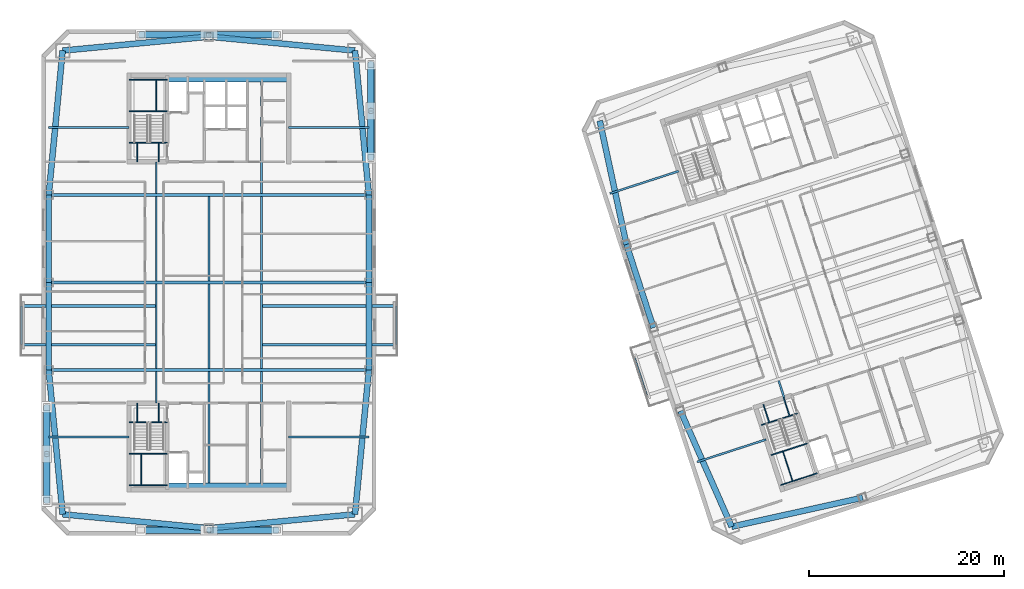
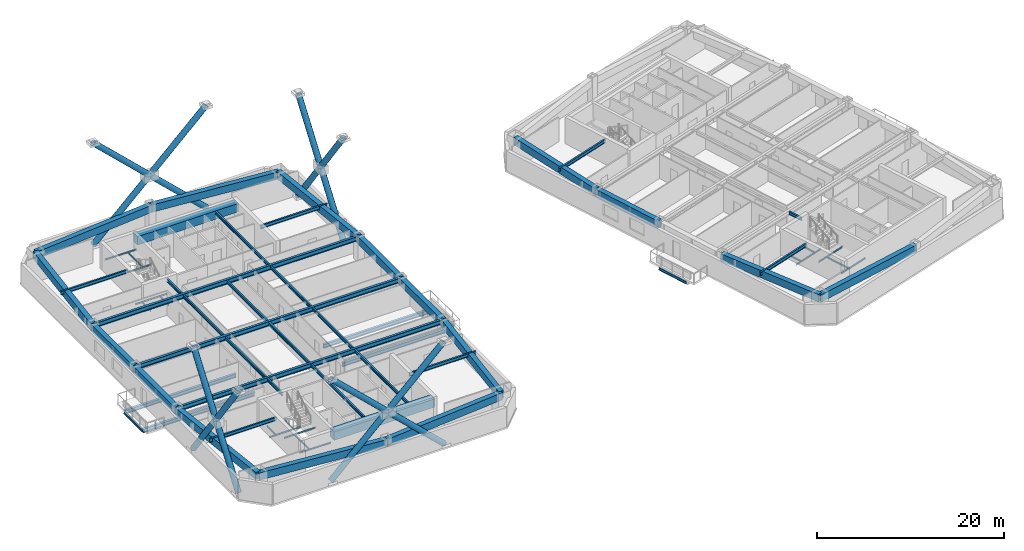
# One storey, part 3 of 16: 64 beams, 16 members.
"""IFC4 building model written with IfcOpenShell, lengths in metres."""

from ifc_helpers import new_model, si_unit, direction, frame, origin, origin_2d, place, context, subcontext, project, spatial, rectangle, hollow_circle, i_section, extrude, material, material_profile, profile_set, type_object, element, save


model = new_model("IFC4")

# Units and contexts
model_context = context("Model", 3, precision=1e-05, world=origin(), true_north=direction((0.0, 1.0)))
body_context = subcontext(model_context, "Body", "Model", "MODEL_VIEW")
ifc_project = project(units=[si_unit("LENGTHUNIT", "METRE"), si_unit("AREAUNIT", "SQUARE_METRE"), si_unit("VOLUMEUNIT", "CUBIC_METRE"), si_unit("PLANEANGLEUNIT", "RADIAN"), si_unit("MASSUNIT", "GRAM", prefix="KILO")], contexts=[model_context])

# Site, building, storey
site_placement = place(None, origin())
site = spatial("IfcSite", under=ifc_project, at=site_placement, CompositionType="ELEMENT")
building_placement = place(site_placement, origin())
building = spatial("IfcBuilding", under=site, at=building_placement, Name="Qiaolan Cultural Towers", CompositionType="ELEMENT")
storey_placement = place(building_placement, frame((0.0, 0.0, 188.60009765625)))
storey = spatial("IfcBuildingStorey", under=building, at=storey_placement, Name="L50", CompositionType="ELEMENT", Elevation=188.60009765625)

# Beams
ifc_material_1 = material(Name="Steel Q355B", Category="steel")
ifc_material_profile_1 = material_profile(ifc_material_1, i_section(OverallWidth=0.300048828125, OverallDepth=0.488037109375, WebThickness=0.010986328125, FlangeThickness=0.01806640625, at=origin_2d()), Name="HM488x300x11x18")
ifc_profile_set_1 = profile_set([ifc_material_profile_1], Name="Steel Q355B")
beam_type_1 = type_object("IfcBeamType", Name="BM-HM488x300x11x18", PredefinedType="BEAM", material=ifc_profile_set_1)
for number, where, z_axis, x_axis, name in (
    (1, (24.60009765625, 27.60009765625, -0.524169921875), (-1.0, 0.0, 0.0), (0.0, -1.0, 0.0), "L50 T1 Tree Balcony Back-Spanned Bracket Beam"),
    (2, (24.60009765625, 31.60009765625, -0.524169921875), (-1.0, 0.0, 0.0), (0.0, -1.0, 0.0), "L50 T1 Tree Balcony Back-Spanned Bracket Beam"),
    (3, (35.39990234375, 27.60009765625, -0.524169921875), (1.0, 0.0, 0.0), (0.0, 1.0, 0.0), "L50 T1 Tree Balcony Back-Spanned Bracket Beam"),
    (4, (35.39990234375, 31.60009765625, -0.524169921875), (1.0, 0.0, 0.0), (0.0, 1.0, 0.0), "L50 T1 Tree Balcony Back-Spanned Bracket Beam"),
):
    element("IfcBeam", number, at=place(storey_placement, frame(where, z_axis=z_axis, x_axis=x_axis)), inside=storey, type_object=beam_type_1, Name=name, PredefinedType="BEAM", context=body_context, shape_type="SweptSolid", body=[
        extrude(i_section(OverallWidth=0.300048828125, OverallDepth=0.488037109375, WebThickness=0.010986328125, FlangeThickness=0.01806640625, at=origin_2d()), origin(), (0.0, 0.0, 1.0), 13.85009765625),
    ])
ifc_material_2 = material(Name="Steel Q355B", Category="steel")
ifc_material_profile_2 = material_profile(ifc_material_2, i_section(OverallWidth=0.300048828125, OverallDepth=0.587890625, WebThickness=0.011962890625, FlangeThickness=0.02001953125, at=origin_2d()), Name="HM588x300x12x20")
ifc_profile_set_2 = profile_set([ifc_material_profile_2], Name="Steel Q355B")
beam_type_2 = type_object("IfcBeamType", Name="BM-HM588x300x12x20", PredefinedType="BEAM", material=ifc_profile_set_2)
for number, where, z_axis, x_axis, name in (
    (5, (13.550048828125, 25.0, 2.89599609375), (1.0, 0.0, 0.0), (0.0, 1.0, 0.0), "L50 T1 Primary Transverse Girder V1"),
    (6, (13.550048828125, 34.0, 2.89599609375), (1.0, 0.0, 0.0), (0.0, 1.0, 0.0), "L50 T1 Primary Transverse Girder V2"),
    (7, (13.550048828125, 43.0, 2.89599609375), (1.0, 0.0, 0.0), (0.0, 1.0, 0.0), "L50 T1 Primary Transverse Girder V3"),
):
    element("IfcBeam", number, at=place(storey_placement, frame(where, z_axis=z_axis, x_axis=x_axis)), inside=storey, type_object=beam_type_2, Name=name, PredefinedType="BEAM", context=body_context, shape_type="SweptSolid", body=[
        extrude(i_section(OverallWidth=0.300048828125, OverallDepth=0.587890625, WebThickness=0.011962890625, FlangeThickness=0.02001953125, at=origin_2d()), origin(), (0.0, 0.0, 1.0), 32.89990234375),
    ])
ifc_material_3 = material(Name="Steel Q355B", Category="steel")
ifc_material_profile_3 = material_profile(ifc_material_3, i_section(OverallWidth=0.175048828125, OverallDepth=0.35009765625, WebThickness=0.007080078125, FlangeThickness=0.010986328125, at=origin_2d()), Name="HN350x175x7x11")
ifc_profile_set_3 = profile_set([ifc_material_profile_3], Name="Steel Q355B")
beam_type_3 = type_object("IfcBeamType", Name="BM-JST-HN350x175x7x11", PredefinedType="JOIST", material=ifc_profile_set_3)
for number, where, z_axis, x_axis, name in (
    (8, (10.75, 27.60009765625, -0.524169921875), (0.0, 1.0, 0.0), (-1.0, 0.0, 0.0), "L50 T1 Tree Balcony Outer Edge Beam"),
    (9, (49.25, 27.60009765625, -0.524169921875), (0.0, 1.0, 0.0), (-1.0, 0.0, 0.0), "L50 T1 Tree Balcony Outer Edge Beam"),
    (10, (75.00146484375, 22.397216796875, -0.524169921875), (-0.309022586479, 0.951054699292, 0.0), (-0.951054699292, -0.309022586479, 0.0), "L50 T2 Tree Balcony Outer Edge Beam"),
):
    element("IfcBeam", number, at=place(storey_placement, frame(where, z_axis=z_axis, x_axis=x_axis)), inside=storey, type_object=beam_type_3, Name=name, PredefinedType="JOIST", context=body_context, shape_type="SweptSolid", body=[
        extrude(i_section(OverallWidth=0.175048828125, OverallDepth=0.35009765625, WebThickness=0.007080078125, FlangeThickness=0.010986328125, at=origin_2d()), origin(), (0.0, 0.0, 1.0), 4.0),
    ])
ifc_material_4 = material(Name="Steel Q355B", Category="steel")
ifc_material_profile_4 = material_profile(ifc_material_4, i_section(OverallWidth=0.199951171875, OverallDepth=0.39990234375, WebThickness=0.008056640625, FlangeThickness=0.012939453125, at=origin_2d()), Name="HN400x200x8x13")
ifc_profile_set_4 = profile_set([ifc_material_profile_4], Name="Steel Q355B")
beam_type_4 = type_object("IfcBeamType", Name="BM-JST-HN400x200x8x13", PredefinedType="JOIST", material=ifc_profile_set_4)
beam_1_placement = place(storey_placement, frame((24.60009765625, 21.60009765625, 2.989990234375), z_axis=(0.0, 1.0, 0.0), x_axis=(-1.0, 0.0, 0.0)))
element("IfcBeam", 11, at=beam_1_placement, inside=storey, type_object=beam_type_4, Name="L50 T1 Secondary Floor Joist U1-1", PredefinedType="JOIST", context=body_context, shape_type="SweptSolid", body=[
    extrude(i_section(OverallWidth=0.199951171875, OverallDepth=0.39990234375, WebThickness=0.008056640625, FlangeThickness=0.012939453125, at=origin_2d()), origin(), (0.0, 0.0, 1.0), 3.25),
])
for number, where, z_axis, x_axis, name in (
    (12, (24.60009765625, 25.14990234375, 2.989990234375), (0.0, 1.0, 0.0), (-1.0, 0.0, 0.0), "L50 T1 Secondary Floor Joist U1-2"),
    (13, (24.60009765625, 34.14990234375, 2.989990234375), (0.0, 1.0, 0.0), (-1.0, 0.0, 0.0), "L50 T1 Secondary Floor Joist U1-3"),
):
    element("IfcBeam", number, at=place(storey_placement, frame(where, z_axis=z_axis, x_axis=x_axis)), inside=storey, type_object=beam_type_4, Name=name, PredefinedType="JOIST", context=body_context, shape_type="SweptSolid", body=[
        extrude(i_section(OverallWidth=0.199951171875, OverallDepth=0.39990234375, WebThickness=0.008056640625, FlangeThickness=0.012939453125, at=origin_2d()), origin(), (0.0, 0.0, 1.0), 8.7001953125),
    ])
beam_2_placement = place(storey_placement, frame((24.60009765625, 43.14990234375, 2.989990234375), z_axis=(0.0, 1.0, 0.0), x_axis=(-1.0, 0.0, 0.0)))
element("IfcBeam", 14, at=beam_2_placement, inside=storey, type_object=beam_type_4, Name="L50 T1 Secondary Floor Joist U1-4", PredefinedType="JOIST", context=body_context, shape_type="SweptSolid", body=[
    extrude(i_section(OverallWidth=0.199951171875, OverallDepth=0.39990234375, WebThickness=0.008056640625, FlangeThickness=0.012939453125, at=origin_2d()), origin(), (0.0, 0.0, 1.0), 3.25),
])
beam_3_placement = place(storey_placement, frame((30.0, 13.39990234375, 2.989990234375), z_axis=(0.0, 1.0, 0.0), x_axis=(-1.0, 0.0, 0.0)))
element("IfcBeam", 15, at=beam_3_placement, inside=storey, type_object=beam_type_4, Name="L50 T1 Secondary Floor Joist U2-1", PredefinedType="JOIST", context=body_context, shape_type="SweptSolid", body=[
    extrude(i_section(OverallWidth=0.199951171875, OverallDepth=0.39990234375, WebThickness=0.008056640625, FlangeThickness=0.012939453125, at=origin_2d()), origin(), (0.0, 0.0, 1.0), 11.4501953125),
])
for number, where, z_axis, x_axis, name in (
    (16, (30.0, 25.14990234375, 2.989990234375), (0.0, 1.0, 0.0), (-1.0, 0.0, 0.0), "L50 T1 Secondary Floor Joist U2-2"),
    (17, (30.0, 34.14990234375, 2.989990234375), (0.0, 1.0, 0.0), (-1.0, 0.0, 0.0), "L50 T1 Secondary Floor Joist U2-3"),
):
    element("IfcBeam", number, at=place(storey_placement, frame(where, z_axis=z_axis, x_axis=x_axis)), inside=storey, type_object=beam_type_4, Name=name, PredefinedType="JOIST", context=body_context, shape_type="SweptSolid", body=[
        extrude(i_section(OverallWidth=0.199951171875, OverallDepth=0.39990234375, WebThickness=0.008056640625, FlangeThickness=0.012939453125, at=origin_2d()), origin(), (0.0, 0.0, 1.0), 8.7001953125),
    ])
beam_4_placement = place(storey_placement, frame((35.39990234375, 13.39990234375, 2.989990234375), z_axis=(0.0, 1.0, 0.0), x_axis=(-1.0, 0.0, 0.0)))
element("IfcBeam", 18, at=beam_4_placement, inside=storey, type_object=beam_type_4, Name="L50 T1 Secondary Floor Joist U3-1", PredefinedType="JOIST", context=body_context, shape_type="SweptSolid", body=[
    extrude(i_section(OverallWidth=0.199951171875, OverallDepth=0.39990234375, WebThickness=0.008056640625, FlangeThickness=0.012939453125, at=origin_2d()), origin(), (0.0, 0.0, 1.0), 11.4501953125),
])
for number, where, z_axis, x_axis, name in (
    (19, (35.39990234375, 25.14990234375, 2.989990234375), (0.0, 1.0, 0.0), (-1.0, 0.0, 0.0), "L50 T1 Secondary Floor Joist U3-2"),
    (20, (35.39990234375, 34.14990234375, 2.989990234375), (0.0, 1.0, 0.0), (-1.0, 0.0, 0.0), "L50 T1 Secondary Floor Joist U3-3"),
):
    element("IfcBeam", number, at=place(storey_placement, frame(where, z_axis=z_axis, x_axis=x_axis)), inside=storey, type_object=beam_type_4, Name=name, PredefinedType="JOIST", context=body_context, shape_type="SweptSolid", body=[
        extrude(i_section(OverallWidth=0.199951171875, OverallDepth=0.39990234375, WebThickness=0.008056640625, FlangeThickness=0.012939453125, at=origin_2d()), origin(), (0.0, 0.0, 1.0), 8.7001953125),
    ])
beam_5_placement = place(storey_placement, frame((35.39990234375, 43.14990234375, 2.989990234375), z_axis=(0.0, 1.0, 0.0), x_axis=(-1.0, 0.0, 0.0)))
element("IfcBeam", 21, at=beam_5_placement, inside=storey, type_object=beam_type_4, Name="L50 T1 Secondary Floor Joist U3-4", PredefinedType="JOIST", context=body_context, shape_type="SweptSolid", body=[
    extrude(i_section(OverallWidth=0.199951171875, OverallDepth=0.39990234375, WebThickness=0.008056640625, FlangeThickness=0.012939453125, at=origin_2d()), origin(), (0.0, 0.0, 1.0), 11.4501953125),
])
beam_6_placement = place(storey_placement, frame((89.119384765625, 22.147705078125, 2.989990234375), z_axis=(-0.308933885266, 0.951083516067, 0.0), x_axis=(-0.951083516067, -0.308933885266, 0.0)))
element("IfcBeam", 22, at=beam_6_placement, inside=storey, type_object=beam_type_4, Name="L50 T2 Secondary Floor Joist U1-1", PredefinedType="JOIST", context=body_context, shape_type="SweptSolid", body=[
    extrude(i_section(OverallWidth=0.199951171875, OverallDepth=0.39990234375, WebThickness=0.008056640625, FlangeThickness=0.012939453125, at=origin_2d()), origin(), (0.0, 0.0, 1.0), 1.85009765625),
])
ifc_material_5 = material(Name="Steel Q355B", Category="steel")
ifc_material_profile_5 = material_profile(ifc_material_5, i_section(OverallWidth=0.199951171875, OverallDepth=0.449951171875, WebThickness=0.009033203125, FlangeThickness=0.013916015625, at=origin_2d()), Name="HN450x200x9x14")
ifc_profile_set_5 = profile_set([ifc_material_profile_5], Name="Steel Q355B")
beam_type_5 = type_object("IfcBeamType", Name="BM-LNT-HN450x200x9x14", PredefinedType="LINTEL", material=ifc_profile_set_5)
for number, where, z_axis, x_axis, name in (
    (23, (21.800048828125, 18.10009765625, 2.96484375), (-1.0, 0.0, 0.0), (0.0, -1.0, 0.0), "L50 T1 Core Flank Tie Lintel WS"),
    (24, (21.800048828125, 49.89990234375, 2.96484375), (-1.0, 0.0, 0.0), (0.0, -1.0, 0.0), "L50 T1 Core Flank Tie Lintel WN"),
    (25, (38.199951171875, 18.10009765625, 2.96484375), (1.0, 0.0, 0.0), (0.0, 1.0, 0.0), "L50 T1 Core Flank Tie Lintel ES"),
    (26, (38.199951171875, 49.89990234375, 2.96484375), (1.0, 0.0, 0.0), (0.0, 1.0, 0.0), "L50 T1 Core Flank Tie Lintel EN"),
):
    element("IfcBeam", number, at=place(storey_placement, frame(where, z_axis=z_axis, x_axis=x_axis)), inside=storey, type_object=beam_type_5, Name=name, PredefinedType="LINTEL", context=body_context, shape_type="SweptSolid", body=[
        extrude(i_section(OverallWidth=0.199951171875, OverallDepth=0.449951171875, WebThickness=0.009033203125, FlangeThickness=0.013916015625, at=origin_2d()), origin(), (0.0, 0.0, 1.0), 8.25),
    ])
beam_7_placement = place(storey_placement, frame((87.252685546875, 17.861083984375, 2.96484375), z_axis=(-0.951064407856, -0.308992705592, 0.0), x_axis=(0.308992705592, -0.951064407856, 0.0)))
element("IfcBeam", 27, at=beam_7_placement, inside=storey, type_object=beam_type_5, Name="L50 T2 Core Flank Tie Lintel WS", PredefinedType="LINTEL", context=body_context, shape_type="SweptSolid", body=[
    extrude(i_section(OverallWidth=0.199951171875, OverallDepth=0.449951171875, WebThickness=0.009033203125, FlangeThickness=0.013916015625, at=origin_2d()), origin(), (0.0, 0.0, 1.0), 7.449951171875),
])
beam_8_placement = place(storey_placement, frame((78.291259765625, 45.44189453125, 2.96484375), z_axis=(-0.951054777171, -0.309022346796, 0.0), x_axis=(0.309022346796, -0.951054777171, 0.0)))
element("IfcBeam", 28, at=beam_8_placement, inside=storey, type_object=beam_type_5, Name="L50 T2 Core Flank Tie Lintel WN", PredefinedType="LINTEL", context=body_context, shape_type="SweptSolid", body=[
    extrude(i_section(OverallWidth=0.199951171875, OverallDepth=0.449951171875, WebThickness=0.009033203125, FlangeThickness=0.013916015625, at=origin_2d()), origin(), (0.0, 0.0, 1.0), 7.4501953125),
])
ifc_material_6 = material(Name="Concrete C50", Category="concrete")
ifc_material_profile_6 = material_profile(ifc_material_6, rectangle(XDim=0.89990234375, YDim=1.10009765625, at=origin_2d()), Name="RC900x1100")
ifc_profile_set_6 = profile_set([ifc_material_profile_6], Name="Concrete C50")
beam_type_6 = type_object("IfcBeamType", Name="BM-RC900x1100", PredefinedType="BEAM", material=ifc_profile_set_6)
for number, where, z_axis, x_axis, name in (
    (29, (25.719970703125, 12.949951171875, 2.639892578125), (1.0, 0.0, 0.0), (0.0, 1.0, 0.0), "L50 T1 Core Header Girder S"),
    (30, (25.719970703125, 55.050048828125, 2.639892578125), (1.0, 0.0, 0.0), (0.0, 1.0, 0.0), "L50 T1 Core Header Girder N"),
):
    element("IfcBeam", number, at=place(storey_placement, frame(where, z_axis=z_axis, x_axis=x_axis)), inside=storey, type_object=beam_type_6, Name=name, PredefinedType="BEAM", context=body_context, shape_type="SweptSolid", body=[
        extrude(rectangle(XDim=0.89990234375, YDim=1.10009765625, at=origin_2d()), origin(), (0.0, 0.0, 1.0), 12.47998046875),
    ])
ifc_material_7 = material(Name="Concrete C50", Category="concrete")
ifc_material_profile_7 = material_profile(ifc_material_7, rectangle(XDim=0.60009765625, YDim=0.949951171875, at=origin_2d()), Name="RC600x950")
ifc_profile_set_7 = profile_set([ifc_material_profile_7], Name="Concrete C50")
beam_type_7 = type_object("IfcBeamType", Name="BM-SPD-RC600x950", PredefinedType="SPANDREL", material=ifc_profile_set_7)
for number, where, z_axis, x_axis, name in (
    (31, (14.97998046875, 10.179931640625, 2.71484375), (0.995498889995, -0.094773203061, 0.0), (0.094773203061, 0.995498889995, 0.0), "L50 T1 Perimeter Spandrel Beam 1"),
    (32, (30.0, 8.75, 2.71484375), (0.995498889995, 0.094773203061, 0.0), (-0.094773203061, 0.995498889995, 0.0), "L50 T1 Perimeter Spandrel Beam 2"),
):
    element("IfcBeam", number, at=place(storey_placement, frame(where, z_axis=z_axis, x_axis=x_axis)), inside=storey, type_object=beam_type_7, Name=name, PredefinedType="SPANDREL", context=body_context, shape_type="SweptSolid", body=[
        extrude(rectangle(XDim=0.60009765625, YDim=0.949951171875, at=origin_2d()), origin(), (0.0, 0.0, 1.0), 15.087890625),
    ])
beam_9_placement = place(storey_placement, frame((45.02001953125, 10.179931640625, 2.71484375), z_axis=(0.096040159186, 0.995377459974, 0.0), x_axis=(-0.995377459974, 0.096040159186, 0.0)))
element("IfcBeam", 33, at=beam_9_placement, inside=storey, type_object=beam_type_7, Name="L50 T1 Perimeter Spandrel Beam 3", PredefinedType="SPANDREL", context=body_context, shape_type="SweptSolid", body=[
    extrude(rectangle(XDim=0.60009765625, YDim=0.949951171875, at=origin_2d()), origin(), (0.0, 0.0, 1.0), 14.888916015625),
])
for number, where, z_axis, x_axis, name in (
    (34, (46.449951171875, 25.0, 2.71484375), (0.0, 1.0, 0.0), (-1.0, 0.0, 0.0), "L50 T1 Perimeter Spandrel Beam 4"),
    (35, (46.449951171875, 34.0, 2.71484375), (0.0, 1.0, 0.0), (-1.0, 0.0, 0.0), "L50 T1 Perimeter Spandrel Beam 5"),
):
    element("IfcBeam", number, at=place(storey_placement, frame(where, z_axis=z_axis, x_axis=x_axis)), inside=storey, type_object=beam_type_7, Name=name, PredefinedType="SPANDREL", context=body_context, shape_type="SweptSolid", body=[
        extrude(rectangle(XDim=0.60009765625, YDim=0.949951171875, at=origin_2d()), origin(), (0.0, 0.0, 1.0), 9.0),
    ])
beam_10_placement = place(storey_placement, frame((46.449951171875, 43.0, 2.71484375), z_axis=(-0.096040159186, 0.995377459974, 0.0), x_axis=(-0.995377459974, -0.096040159186, 0.0)))
element("IfcBeam", 36, at=beam_10_placement, inside=storey, type_object=beam_type_7, Name="L50 T1 Perimeter Spandrel Beam 6", PredefinedType="SPANDREL", context=body_context, shape_type="SweptSolid", body=[
    extrude(rectangle(XDim=0.60009765625, YDim=0.949951171875, at=origin_2d()), origin(), (0.0, 0.0, 1.0), 14.888916015625),
])
for number, where, z_axis, x_axis, name in (
    (37, (45.02001953125, 57.820068359375, 2.71484375), (-0.995498889995, 0.094773203061, 0.0), (-0.094773203061, -0.995498889995, 0.0), "L50 T1 Perimeter Spandrel Beam 7"),
    (38, (30.0, 59.25, 2.71484375), (-0.995498889995, -0.094773203061, 0.0), (0.094773203061, -0.995498889995, 0.0), "L50 T1 Perimeter Spandrel Beam 8"),
):
    element("IfcBeam", number, at=place(storey_placement, frame(where, z_axis=z_axis, x_axis=x_axis)), inside=storey, type_object=beam_type_7, Name=name, PredefinedType="SPANDREL", context=body_context, shape_type="SweptSolid", body=[
        extrude(rectangle(XDim=0.60009765625, YDim=0.949951171875, at=origin_2d()), origin(), (0.0, 0.0, 1.0), 15.087890625),
    ])
beam_11_placement = place(storey_placement, frame((14.97998046875, 57.820068359375, 2.71484375), z_axis=(-0.096040159186, -0.995377459974, 0.0), x_axis=(0.995377459974, -0.096040159186, 0.0)))
element("IfcBeam", 39, at=beam_11_placement, inside=storey, type_object=beam_type_7, Name="L50 T1 Perimeter Spandrel Beam 9", PredefinedType="SPANDREL", context=body_context, shape_type="SweptSolid", body=[
    extrude(rectangle(XDim=0.60009765625, YDim=0.949951171875, at=origin_2d()), origin(), (0.0, 0.0, 1.0), 14.888916015625),
])
for number, where, z_axis, x_axis, name in (
    (40, (13.550048828125, 43.0, 2.71484375), (0.0, -1.0, 0.0), (1.0, 0.0, 0.0), "L50 T1 Perimeter Spandrel Beam 10"),
    (41, (13.550048828125, 34.0, 2.71484375), (0.0, -1.0, 0.0), (1.0, 0.0, 0.0), "L50 T1 Perimeter Spandrel Beam 11"),
):
    element("IfcBeam", number, at=place(storey_placement, frame(where, z_axis=z_axis, x_axis=x_axis)), inside=storey, type_object=beam_type_7, Name=name, PredefinedType="SPANDREL", context=body_context, shape_type="SweptSolid", body=[
        extrude(rectangle(XDim=0.60009765625, YDim=0.949951171875, at=origin_2d()), origin(), (0.0, 0.0, 1.0), 9.0),
    ])
beam_12_placement = place(storey_placement, frame((13.550048828125, 25.0, 2.71484375), z_axis=(0.096040159186, -0.995377459974, 0.0), x_axis=(0.995377459974, 0.096040159186, 0.0)))
element("IfcBeam", 42, at=beam_12_placement, inside=storey, type_object=beam_type_7, Name="L50 T1 Perimeter Spandrel Beam 12", PredefinedType="SPANDREL", context=body_context, shape_type="SweptSolid", body=[
    extrude(rectangle(XDim=0.60009765625, YDim=0.949951171875, at=origin_2d()), origin(), (0.0, 0.0, 1.0), 14.888916015625),
])
beam_13_placement = place(storey_placement, frame((83.71875, 8.900634765625, 2.71484375), z_axis=(0.976265293399, 0.216578108094, 0.0), x_axis=(-0.216578108094, 0.976265293399, 0.0)))
element("IfcBeam", 43, at=beam_13_placement, inside=storey, type_object=beam_type_7, Name="L50 T2 Perimeter Spandrel Beam 1", PredefinedType="SPANDREL", context=body_context, shape_type="SweptSolid", body=[
    extrude(rectangle(XDim=0.60009765625, YDim=0.949951171875, at=origin_2d()), origin(), (0.0, 0.0, 1.0), 13.793212890625),
])
beam_14_placement = place(storey_placement, frame((70.165283203125, 50.61376953125, 2.71484375), z_axis=(0.210832241173, -0.977522258612, 0.0), x_axis=(0.977522258612, 0.210832241173, 0.0)))
element("IfcBeam", 44, at=beam_14_placement, inside=storey, type_object=beam_type_7, Name="L50 T2 Perimeter Spandrel Beam 9", PredefinedType="SPANDREL", context=body_context, shape_type="SweptSolid", body=[
    extrude(rectangle(XDim=0.60009765625, YDim=0.949951171875, at=origin_2d()), origin(), (0.0, 0.0, 1.0), 12.997314453125),
])
beam_15_placement = place(storey_placement, frame((72.905517578125, 37.90869140625, 2.71484375), z_axis=(0.309008170129, -0.951059383421, 0.0), x_axis=(0.951059383421, 0.309008170129, 0.0)))
element("IfcBeam", 45, at=beam_15_placement, inside=storey, type_object=beam_type_7, Name="L50 T2 Perimeter Spandrel Beam 10", PredefinedType="SPANDREL", context=body_context, shape_type="SweptSolid", body=[
    extrude(rectangle(XDim=0.60009765625, YDim=0.949951171875, at=origin_2d()), origin(), (0.0, 0.0, 1.0), 8.999755859375),
])
beam_16_placement = place(storey_placement, frame((78.4677734375, 20.789794921875, 2.71484375), z_axis=(0.404011070002, -0.914754095545, 0.0), x_axis=(0.914754095545, 0.404011070002, 0.0)))
element("IfcBeam", 46, at=beam_16_placement, inside=storey, type_object=beam_type_7, Name="L50 T2 Perimeter Spandrel Beam 12", PredefinedType="SPANDREL", context=body_context, shape_type="SweptSolid", body=[
    extrude(rectangle(XDim=0.60009765625, YDim=0.949951171875, at=origin_2d()), origin(), (0.0, 0.0, 1.0), 12.9970703125),
])
ifc_material_8 = material(Name="Steel Q355B", Category="steel")
ifc_material_profile_8 = material_profile(ifc_material_8, i_section(OverallWidth=0.10009765625, OverallDepth=0.199951171875, WebThickness=0.005615234375, FlangeThickness=0.008056640625, at=origin_2d()), Name="HN200x100x5.5x8")
ifc_profile_set_8 = profile_set([ifc_material_profile_8], Name="Steel Q355B")
beam_type_8 = type_object("IfcBeamType", Name="BM-STTRIM-200", PredefinedType="BEAM", material=ifc_profile_set_8)
beam_17_placement = place(storey_placement, frame((21.800048828125, 19.659912109375, -0.460205078125), z_axis=(1.0, 0.0, 0.0), x_axis=(0.0, 1.0, 0.0)))
element("IfcBeam", 47, at=beam_17_placement, inside=storey, type_object=beam_type_8, Name="L50 ST-W1 Floor Landing Header Beam", PredefinedType="BEAM", context=body_context, shape_type="SweptSolid", body=[
    extrude(i_section(OverallWidth=0.10009765625, OverallDepth=0.199951171875, WebThickness=0.005615234375, FlangeThickness=0.008056640625, at=origin_2d()), origin(), (0.0, 0.0, 1.0), 3.919921875),
])
for number, where, z_axis, x_axis, name in (
    (48, (22.64990234375, 21.60009765625, -0.460205078125), (0.0, -1.0, 0.0), (1.0, 0.0, 0.0), "L50 ST-W1 Floor Landing Stringer 1"),
    (49, (24.85009765625, 21.60009765625, -0.460205078125), (0.0, -1.0, 0.0), (1.0, 0.0, 0.0), "L50 ST-W1 Floor Landing Stringer 2"),
):
    element("IfcBeam", number, at=place(storey_placement, frame(where, z_axis=z_axis, x_axis=x_axis)), inside=storey, type_object=beam_type_8, Name=name, PredefinedType="BEAM", context=body_context, shape_type="SweptSolid", body=[
        extrude(i_section(OverallWidth=0.10009765625, OverallDepth=0.199951171875, WebThickness=0.005615234375, FlangeThickness=0.008056640625, at=origin_2d()), origin(), (0.0, 0.0, 1.0), 1.940185546875),
    ])
for number, where, z_axis, x_axis, name in (
    (50, (21.800048828125, 16.411376953125, 1.4248046875), (1.0, 0.0, 0.0), (0.0, 1.0, 0.0), "L50 ST-W1 Stair Landing Support Beam 1-1"),
    (51, (21.800048828125, 13.179931640625, 1.4248046875), (1.0, 0.0, 0.0), (0.0, 1.0, 0.0), "L50 ST-W1 Stair Landing Support Beam 1-2"),
):
    element("IfcBeam", number, at=place(storey_placement, frame(where, z_axis=z_axis, x_axis=x_axis)), inside=storey, type_object=beam_type_8, Name=name, PredefinedType="BEAM", context=body_context, shape_type="SweptSolid", body=[
        extrude(i_section(OverallWidth=0.10009765625, OverallDepth=0.199951171875, WebThickness=0.005615234375, FlangeThickness=0.008056640625, at=origin_2d()), origin(), (0.0, 0.0, 1.0), 3.919921875),
    ])
beam_18_placement = place(storey_placement, frame((23.070068359375, 16.411376953125, 1.4248046875), z_axis=(0.0, -1.0, 0.0), x_axis=(1.0, 0.0, 0.0)))
element("IfcBeam", 52, at=beam_18_placement, inside=storey, type_object=beam_type_8, Name="L50 ST-W1 Stair Landing Trimmer 1", PredefinedType="BEAM", context=body_context, shape_type="SweptSolid", body=[
    extrude(i_section(OverallWidth=0.10009765625, OverallDepth=0.199951171875, WebThickness=0.005615234375, FlangeThickness=0.008056640625, at=origin_2d()), origin(), (0.0, 0.0, 1.0), 3.2314453125),
])
beam_19_placement = place(storey_placement, frame((21.800048828125, 48.340087890625, -0.460205078125), z_axis=(1.0, 0.0, 0.0), x_axis=(0.0, 1.0, 0.0)))
element("IfcBeam", 53, at=beam_19_placement, inside=storey, type_object=beam_type_8, Name="L50 ST-W2 Floor Landing Header Beam", PredefinedType="BEAM", context=body_context, shape_type="SweptSolid", body=[
    extrude(i_section(OverallWidth=0.10009765625, OverallDepth=0.199951171875, WebThickness=0.005615234375, FlangeThickness=0.008056640625, at=origin_2d()), origin(), (0.0, 0.0, 1.0), 3.919921875),
])
for number, where, z_axis, x_axis, name in (
    (54, (22.64990234375, 46.39990234375, -0.460205078125), (0.0, 1.0, 0.0), (-1.0, 0.0, 0.0), "L50 ST-W2 Floor Landing Stringer 1"),
    (55, (24.85009765625, 46.39990234375, -0.460205078125), (0.0, 1.0, 0.0), (-1.0, 0.0, 0.0), "L50 ST-W2 Floor Landing Stringer 2"),
):
    element("IfcBeam", number, at=place(storey_placement, frame(where, z_axis=z_axis, x_axis=x_axis)), inside=storey, type_object=beam_type_8, Name=name, PredefinedType="BEAM", context=body_context, shape_type="SweptSolid", body=[
        extrude(i_section(OverallWidth=0.10009765625, OverallDepth=0.199951171875, WebThickness=0.005615234375, FlangeThickness=0.008056640625, at=origin_2d()), origin(), (0.0, 0.0, 1.0), 1.940185546875),
    ])
for number, where, z_axis, x_axis, name in (
    (56, (21.800048828125, 51.588623046875, 1.4248046875), (1.0, 0.0, 0.0), (0.0, 1.0, 0.0), "L50 ST-W2 Stair Landing Support Beam 1-1"),
    (57, (21.800048828125, 54.820068359375, 1.4248046875), (1.0, 0.0, 0.0), (0.0, 1.0, 0.0), "L50 ST-W2 Stair Landing Support Beam 1-2"),
):
    element("IfcBeam", number, at=place(storey_placement, frame(where, z_axis=z_axis, x_axis=x_axis)), inside=storey, type_object=beam_type_8, Name=name, PredefinedType="BEAM", context=body_context, shape_type="SweptSolid", body=[
        extrude(i_section(OverallWidth=0.10009765625, OverallDepth=0.199951171875, WebThickness=0.005615234375, FlangeThickness=0.008056640625, at=origin_2d()), origin(), (0.0, 0.0, 1.0), 3.919921875),
    ])
beam_20_placement = place(storey_placement, frame((24.610107421875, 51.588623046875, 1.4248046875), z_axis=(0.0, 1.0, 0.0), x_axis=(-1.0, 0.0, 0.0)))
element("IfcBeam", 58, at=beam_20_placement, inside=storey, type_object=beam_type_8, Name="L50 ST-W2 Stair Landing Trimmer 1", PredefinedType="BEAM", context=body_context, shape_type="SweptSolid", body=[
    extrude(i_section(OverallWidth=0.10009765625, OverallDepth=0.199951171875, WebThickness=0.005615234375, FlangeThickness=0.008056640625, at=origin_2d()), origin(), (0.0, 0.0, 1.0), 3.2314453125),
])
beam_21_placement = place(storey_placement, frame((86.770751953125, 19.3447265625, -0.460205078125), z_axis=(0.951047798727, 0.309043823005, 0.0), x_axis=(-0.309043823005, 0.951047798727, 0.0)))
element("IfcBeam", 59, at=beam_21_placement, inside=storey, type_object=beam_type_8, Name="L50 ST-E1 Floor Landing Header Beam", PredefinedType="BEAM", context=body_context, shape_type="SweptSolid", body=[
    extrude(i_section(OverallWidth=0.10009765625, OverallDepth=0.199951171875, WebThickness=0.005615234375, FlangeThickness=0.008056640625, at=origin_2d()), origin(), (0.0, 0.0, 1.0), 3.919921875),
])
for number, where, z_axis, x_axis, name in (
    (60, (86.9794921875, 21.452392578125, -0.460205078125), (0.309083226701, -0.951034993558, 0.0), (0.951034993558, 0.309083226701, 0.0), "L50 ST-E1 Floor Landing Stringer 1"),
    (61, (89.07177734375, 22.13232421875, -0.460205078125), (0.309083226701, -0.951034993558, 0.0), (0.951034993558, 0.309083226701, 0.0), "L50 ST-E1 Floor Landing Stringer 2"),
):
    element("IfcBeam", number, at=place(storey_placement, frame(where, z_axis=z_axis, x_axis=x_axis)), inside=storey, type_object=beam_type_8, Name=name, PredefinedType="BEAM", context=body_context, shape_type="SweptSolid", body=[
        extrude(i_section(OverallWidth=0.10009765625, OverallDepth=0.199951171875, WebThickness=0.005615234375, FlangeThickness=0.008056640625, at=origin_2d()), origin(), (0.0, 0.0, 1.0), 1.93994140625),
    ])
for number, where, z_axis, x_axis, name in (
    (62, (87.774658203125, 16.255126953125, 1.4248046875), (0.951047798727, 0.309043823005, 0.0), (-0.309043823005, 0.951047798727, 0.0), "L50 ST-E1 Stair Landing Support Beam 1-1"),
    (63, (88.773193359375, 13.181884765625, 1.4248046875), (0.951047798727, 0.309043823005, 0.0), (-0.309043823005, 0.951047798727, 0.0), "L50 ST-E1 Stair Landing Support Beam 1-2"),
):
    element("IfcBeam", number, at=place(storey_placement, frame(where, z_axis=z_axis, x_axis=x_axis)), inside=storey, type_object=beam_type_8, Name=name, PredefinedType="BEAM", context=body_context, shape_type="SweptSolid", body=[
        extrude(i_section(OverallWidth=0.10009765625, OverallDepth=0.199951171875, WebThickness=0.005615234375, FlangeThickness=0.008056640625, at=origin_2d()), origin(), (0.0, 0.0, 1.0), 3.919921875),
    ])
beam_22_placement = place(storey_placement, frame((88.982421875, 16.6474609375, 1.4248046875), z_axis=(0.309033108495, -0.951051280349, 0.0), x_axis=(0.951051280349, 0.309033108495, 0.0)))
element("IfcBeam", 64, at=beam_22_placement, inside=storey, type_object=beam_type_8, Name="L50 ST-E1 Stair Landing Trimmer 1", PredefinedType="BEAM", context=body_context, shape_type="SweptSolid", body=[
    extrude(i_section(OverallWidth=0.10009765625, OverallDepth=0.199951171875, WebThickness=0.005615234375, FlangeThickness=0.008056640625, at=origin_2d()), origin(), (0.0, 0.0, 1.0), 3.231201171875),
])

# Members
ifc_material_9 = material(Name="Steel Q355B", Category="steel")
ifc_material_profile_9 = material_profile(ifc_material_9, hollow_circle(Radius=0.35009765625, WallThickness=0.034912109375, at=origin_2d()), Name="CHS700x35")
ifc_profile_set_9 = profile_set([ifc_material_profile_9], Name="Steel Q355B")
member_type = type_object("IfcMemberType", Name="MBR-BRC-CHS700x35", PredefinedType="BRACE", material=ifc_profile_set_9)
for number, where, z_axis, x_axis, name in (
    (65, (13.35009765625, 11.550048828125, 0.14990234375), (0.0, 0.585816268736, 0.810443890275), (-1.0, 0.0, 0.0), "T1 WEST Perimeter Frame Diagonal W-Z3-M3-D1A"),
    (66, (13.35009765625, 16.375, 6.824951171875), (0.0, 0.585816268736, 0.810443890275), (-1.0, 0.0, 0.0), "T1 WEST Perimeter Frame Diagonal W-Z3-M3-D1B"),
    (67, (13.35009765625, 21.199951171875, 0.14990234375), (0.0, -0.585816268736, 0.810443890275), (1.0, 0.0, 0.0), "T1 WEST Perimeter Frame Diagonal W-Z3-M3-D2A"),
    (68, (13.35009765625, 16.375, 6.824951171875), (0.0, -0.585816268736, 0.810443890275), (1.0, 0.0, 0.0), "T1 WEST Perimeter Frame Diagonal W-Z3-M3-D2B"),
    (69, (46.64990234375, 46.800048828125, 0.14990234375), (0.0, 0.585816268736, 0.810443890275), (-1.0, 0.0, 0.0), "T1 EAST Perimeter Frame Diagonal W-Z3-M3-D1A"),
    (70, (46.64990234375, 51.625, 6.824951171875), (0.0, 0.585816268736, 0.810443890275), (-1.0, 0.0, 0.0), "T1 EAST Perimeter Frame Diagonal W-Z3-M3-D1B"),
    (71, (46.64990234375, 56.449951171875, 0.14990234375), (0.0, -0.585816268736, 0.810443890275), (1.0, 0.0, 0.0), "T1 EAST Perimeter Frame Diagonal W-Z3-M3-D2A"),
    (72, (46.64990234375, 51.625, 6.824951171875), (0.0, -0.585816268736, 0.810443890275), (1.0, 0.0, 0.0), "T1 EAST Perimeter Frame Diagonal W-Z3-M3-D2B"),
):
    element("IfcMember", number, at=place(storey_placement, frame(where, z_axis=z_axis, x_axis=x_axis)), inside=storey, type_object=member_type, Name=name, PredefinedType="BRACE", context=body_context, shape_type="SweptSolid", body=[
        extrude(hollow_circle(Radius=0.35009765625, WallThickness=0.034912109375, at=origin_2d()), origin(), (0.0, 0.0, 1.0), 8.236328125),
    ])
for number, where, z_axis, x_axis, name in (
    (73, (23.0, 8.550048828125, 0.14990234375), (0.723705002801, 0.0, 0.69010946155), (0.0, 1.0, 0.0), "T1 SOUTH Perimeter Frame Diagonal W-Z3-M3-D1A"),
    (74, (30.0, 8.550048828125, 6.824951171875), (0.723705002801, 0.0, 0.69010946155), (0.0, 1.0, 0.0), "T1 SOUTH Perimeter Frame Diagonal W-Z3-M3-D1B"),
    (75, (37.0, 8.550048828125, 0.14990234375), (-0.723705002801, 0.0, 0.69010946155), (0.0, -1.0, 0.0), "T1 SOUTH Perimeter Frame Diagonal W-Z3-M3-D2A"),
    (76, (30.0, 8.550048828125, 6.824951171875), (-0.723705002801, 0.0, 0.69010946155), (0.0, -1.0, 0.0), "T1 SOUTH Perimeter Frame Diagonal W-Z3-M3-D2B"),
    (77, (23.0, 59.449951171875, 0.14990234375), (0.723705002801, 0.0, 0.69010946155), (0.0, 1.0, 0.0), "T1 NORTH Perimeter Frame Diagonal W-Z3-M3-D1A"),
    (78, (30.0, 59.449951171875, 6.824951171875), (0.723705002801, 0.0, 0.69010946155), (0.0, 1.0, 0.0), "T1 NORTH Perimeter Frame Diagonal W-Z3-M3-D1B"),
    (79, (37.0, 59.449951171875, 0.14990234375), (-0.723705002801, 0.0, 0.69010946155), (0.0, -1.0, 0.0), "T1 NORTH Perimeter Frame Diagonal W-Z3-M3-D2A"),
    (80, (30.0, 59.449951171875, 6.824951171875), (-0.723705002801, 0.0, 0.69010946155), (0.0, -1.0, 0.0), "T1 NORTH Perimeter Frame Diagonal W-Z3-M3-D2B"),
):
    element("IfcMember", number, at=place(storey_placement, frame(where, z_axis=z_axis, x_axis=x_axis)), inside=storey, type_object=member_type, Name=name, PredefinedType="BRACE", context=body_context, shape_type="SweptSolid", body=[
        extrude(hollow_circle(Radius=0.35009765625, WallThickness=0.034912109375, at=origin_2d()), origin(), (0.0, 0.0, 1.0), 9.67236328125),
    ])

save(model, "model.ifc")
